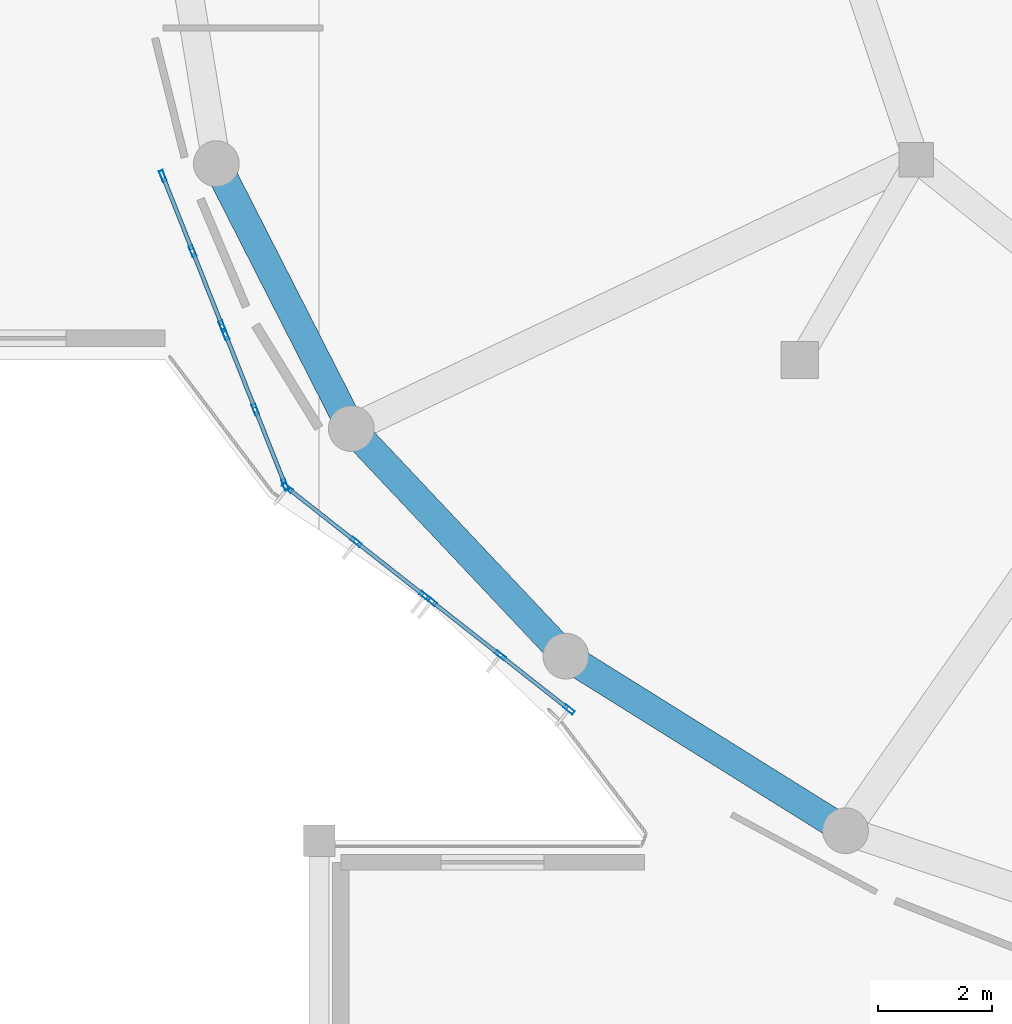
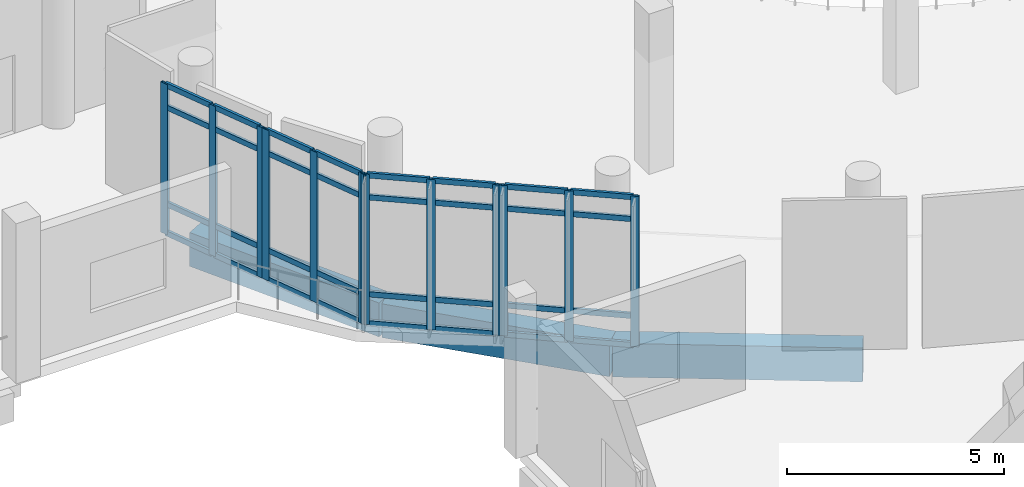
# One storey, part 4 of 46: 44 members, 3 beams, 4 elements without a shape of their own.
"""IFC4 building model written with IfcOpenShell, lengths in metres."""

from ifc_helpers import new_model, si_unit, derived_unit, direction, frame, origin, origin_2d, place, context, subcontext, project, spatial, rectangle, hollow_rectangle, extrude, material, layer, layer_set, material_profile, profile_set, type_object, element, aggregate, save


model = new_model("IFC4")

# Units and contexts
model_context = context("Model", 3, precision=1e-05, world=origin(), true_north=direction((0.0, 1.0)))
body_context = subcontext(model_context, "Body", "Model", "MODEL_VIEW")
ifc_project = project(units=[si_unit("LENGTHUNIT", "METRE"), si_unit("AREAUNIT", "SQUARE_METRE"), si_unit("VOLUMEUNIT", "CUBIC_METRE"), si_unit("PLANEANGLEUNIT", "RADIAN"), si_unit("MASSUNIT", "GRAM", prefix="KILO"), derived_unit("THERMALTRANSMITTANCEUNIT", [(si_unit("POWERUNIT", "WATT"), 1), (si_unit("LENGTHUNIT", "METRE"), -2), (si_unit("THERMODYNAMICTEMPERATUREUNIT", "KELVIN"), -1)])], contexts=[model_context])

# Site, building, storey
site_placement = place(None, origin())
site = spatial("IfcSite", under=ifc_project, at=site_placement, CompositionType="ELEMENT")
building_placement = place(site_placement, origin())
building = spatial("IfcBuilding", under=site, at=building_placement, Name="Elbkamm Science Centre", CompositionType="ELEMENT")
storey_placement = place(building_placement, frame((0.0, 0.0, 9.89990234375)))
storey = spatial("IfcBuildingStorey", under=building, at=storey_placement, Name="L02", CompositionType="ELEMENT", Elevation=9.89990234375)

# Beams
ifc_material_1 = material(Name="Concrete C40/50", Category="concrete")
ifc_material_profile_1 = material_profile(ifc_material_1, rectangle(XDim=0.5, YDim=0.949951171875, at=origin_2d()), Name="RC 500x950")
ifc_profile_set_1 = profile_set([ifc_material_profile_1], Name="Concrete C40/50")
beam_type = type_object("IfcBeamType", Name="BM-RC-500x950", PredefinedType="BEAM", material=ifc_profile_set_1)
beam_1_placement = place(storey_placement, frame((40.2041015625, 62.23095703125, -0.77490234375), z_axis=(0.45374138036, -0.891133412991, 0.0), x_axis=(0.891133412991, 0.45374138036, 0.0)))
element("IfcBeam", 1, at=beam_1_placement, inside=storey, type_object=beam_type, Name="L02 Elliptical Shell Perimeter Ring Beam 14", PredefinedType="SPANDREL", context=body_context, shape_type="SweptSolid", body=[
    extrude(rectangle(XDim=0.5, YDim=0.949951171875, at=origin_2d()), origin(), (0.0, 0.0, 1.0), 5.196533203125),
])
beam_2_placement = place(storey_placement, frame((42.56201171875, 57.60009765625, -0.77490234375), z_axis=(0.686122314522, -0.727486198848, 0.0), x_axis=(0.727486198848, 0.686122314522, 0.0)))
element("IfcBeam", 2, at=beam_2_placement, inside=storey, type_object=beam_type, Name="L02 Elliptical Shell Perimeter Ring Beam 15", PredefinedType="SPANDREL", context=body_context, shape_type="SweptSolid", body=[
    extrude(rectangle(XDim=0.5, YDim=0.949951171875, at=origin_2d()), origin(), (0.0, 0.0, 1.0), 5.465576171875),
])
beam_3_placement = place(storey_placement, frame((46.31201171875, 53.6240234375, -0.77490234375), z_axis=(0.848229099729, -0.529629487824, 0.0), x_axis=(0.529629487824, 0.848229099729, 0.0)))
element("IfcBeam", 3, at=beam_3_placement, inside=storey, type_object=beam_type, Name="L02 Elliptical Shell Perimeter Ring Beam 16", PredefinedType="SPANDREL", context=body_context, shape_type="SweptSolid", body=[
    extrude(rectangle(XDim=0.5, YDim=0.949951171875, at=origin_2d()), origin(), (0.0, 0.0, 1.0), 5.762451171875),
])

# Curtain wall, members
ifc_material_2 = material(Name="Powder-coated aluminium and triple low-E glazing", Category="aluminium")
ifc_layer_1 = layer(ifc_material_2, 0.159912109375)
ifc_layer_set_1 = layer_set([ifc_layer_1], Name="Powder-coated aluminium and triple low-E glazing")
curtain_wall_type_1 = type_object("IfcCurtainWallType", Name="CW-UNIT-2900x4220", PredefinedType="USERDEFINED", material=ifc_layer_set_1)
curtain_wall_1_placement = place(storey_placement, origin())
curtain_wall_1 = element("IfcCurtainWall", 4, at=curtain_wall_1_placement, inside=storey, type_object=curtain_wall_type_1, Name="L02 Unitised Curtain Wall 036", ObjectType="UNITISED CURTAIN WALL", PredefinedType="USERDEFINED")
ifc_material_3 = material(Name="Powder-coated aluminium EN AW-6060", Category="aluminium")
ifc_material_profile_2 = material_profile(ifc_material_3, hollow_rectangle(XDim=0.070068359375, YDim=0.199951171875, WallThickness=0.00439453125, at=origin_2d()), Name="ALU M70x200")
ifc_profile_set_2 = profile_set([ifc_material_profile_2], Name="Powder-coated aluminium EN AW-6060")
member_type_1 = type_object("IfcMemberType", Name="CW-MUL-70x200", PredefinedType="MULLION", material=ifc_profile_set_2)
member_1_placement = place(storey_placement, frame((39.267822265625, 62.014892578125, 0.0), z_axis=(0.0, 0.0, 1.0), x_axis=(0.9297492741, 0.368193274395, 0.0)))
member_1 = element("IfcMember", 5, at=member_1_placement, type_object=member_type_1, Name="CW-016 mullion 1", PredefinedType="MULLION", context=body_context, shape_type="SweptSolid", body=[
    extrude(hollow_rectangle(XDim=0.070068359375, YDim=0.199951171875, WallThickness=0.00439453125, at=origin_2d()), origin(), (0.0, 0.0, 1.0), 4.22021484375),
])
member_2_placement = place(storey_placement, frame((39.788330078125, 60.700439453125, 0.0), z_axis=(0.0, 0.0, 1.0), x_axis=(0.9297492741, 0.368193274395, 0.0)))
member_2 = element("IfcMember", 6, at=member_2_placement, type_object=member_type_1, Name="CW-016 mullion 2", PredefinedType="MULLION", context=body_context, shape_type="SweptSolid", body=[
    extrude(hollow_rectangle(XDim=0.070068359375, YDim=0.199951171875, WallThickness=0.00439453125, at=origin_2d()), origin(), (0.0, 0.0, 1.0), 4.22021484375),
])
member_3_placement = place(storey_placement, frame((40.308837890625, 59.385986328125, 0.0), z_axis=(0.0, 0.0, 1.0), x_axis=(0.9297492741, 0.368193274395, 0.0)))
member_3 = element("IfcMember", 7, at=member_3_placement, type_object=member_type_1, Name="CW-016 mullion 3", PredefinedType="MULLION", context=body_context, shape_type="SweptSolid", body=[
    extrude(hollow_rectangle(XDim=0.070068359375, YDim=0.199951171875, WallThickness=0.00439453125, at=origin_2d()), origin(), (0.0, 0.0, 1.0), 4.22021484375),
])

curtain_wall_2_placement = place(storey_placement, origin())
curtain_wall_2 = element("IfcCurtainWall", 8, at=curtain_wall_2_placement, inside=storey, type_object=curtain_wall_type_1, Name="L02 Unitised Curtain Wall 037", ObjectType="UNITISED CURTAIN WALL", PredefinedType="USERDEFINED")
member_4_placement = place(storey_placement, frame((40.364013671875, 59.24658203125, 0.0), z_axis=(0.0, 0.0, 1.0), x_axis=(0.9297492741, 0.368193274395, 0.0)))
member_4 = element("IfcMember", 9, at=member_4_placement, type_object=member_type_1, Name="CW-016 mullion 1", PredefinedType="MULLION", context=body_context, shape_type="SweptSolid", body=[
    extrude(hollow_rectangle(XDim=0.070068359375, YDim=0.199951171875, WallThickness=0.00439453125, at=origin_2d()), origin(), (0.0, 0.0, 1.0), 4.22021484375),
])
member_5_placement = place(storey_placement, frame((40.884765625, 57.93212890625, 0.0), z_axis=(0.0, 0.0, 1.0), x_axis=(0.9297492741, 0.368193274395, 0.0)))
member_5 = element("IfcMember", 10, at=member_5_placement, type_object=member_type_1, Name="CW-016 mullion 2", PredefinedType="MULLION", context=body_context, shape_type="SweptSolid", body=[
    extrude(hollow_rectangle(XDim=0.070068359375, YDim=0.199951171875, WallThickness=0.00439453125, at=origin_2d()), origin(), (0.0, 0.0, 1.0), 4.22021484375),
])
member_6_placement = place(storey_placement, frame((41.4052734375, 56.617431640625, 0.0), z_axis=(0.0, 0.0, 1.0), x_axis=(0.9297492741, 0.368193274395, 0.0)))
member_6 = element("IfcMember", 11, at=member_6_placement, type_object=member_type_1, Name="CW-016 mullion 3", PredefinedType="MULLION", context=body_context, shape_type="SweptSolid", body=[
    extrude(hollow_rectangle(XDim=0.070068359375, YDim=0.199951171875, WallThickness=0.00439453125, at=origin_2d()), origin(), (0.0, 0.0, 1.0), 4.22021484375),
])

ifc_layer_2 = layer(ifc_material_2, 0.159912109375)
ifc_layer_set_2 = layer_set([ifc_layer_2], Name="Powder-coated aluminium and triple low-E glazing")
curtain_wall_type_2 = type_object("IfcCurtainWallType", Name="CW-UNIT-3120x4220", PredefinedType="USERDEFINED", material=ifc_layer_set_2)
curtain_wall_3_placement = place(storey_placement, origin())
curtain_wall_3 = element("IfcCurtainWall", 12, at=curtain_wall_3_placement, inside=storey, type_object=curtain_wall_type_2, Name="L02 Unitised Curtain Wall 038", ObjectType="UNITISED CURTAIN WALL", PredefinedType="USERDEFINED")
member_7_placement = place(storey_placement, frame((41.445556640625, 56.5634765625, 0.0), z_axis=(0.0, 0.0, 1.0), x_axis=(0.618219954707, 0.786005144768, 0.0)))
member_7 = element("IfcMember", 13, at=member_7_placement, type_object=member_type_1, Name="CW-017 mullion 1", PredefinedType="MULLION", context=body_context, shape_type="SweptSolid", body=[
    extrude(hollow_rectangle(XDim=0.070068359375, YDim=0.199951171875, WallThickness=0.00439453125, at=origin_2d()), origin(), (0.0, 0.0, 1.0), 4.22021484375),
])
member_8_placement = place(storey_placement, frame((42.646484375, 55.618896484375, 0.0), z_axis=(0.0, 0.0, 1.0), x_axis=(0.618219954707, 0.786005144768, 0.0)))
member_8 = element("IfcMember", 14, at=member_8_placement, type_object=member_type_1, Name="CW-017 mullion 2", PredefinedType="MULLION", context=body_context, shape_type="SweptSolid", body=[
    extrude(hollow_rectangle(XDim=0.070068359375, YDim=0.199951171875, WallThickness=0.00439453125, at=origin_2d()), origin(), (0.0, 0.0, 1.0), 4.22021484375),
])
member_9_placement = place(storey_placement, frame((43.84716796875, 54.67431640625, 0.0), z_axis=(0.0, 0.0, 1.0), x_axis=(0.618219954707, 0.786005144768, 0.0)))
member_9 = element("IfcMember", 15, at=member_9_placement, type_object=member_type_1, Name="CW-017 mullion 3", PredefinedType="MULLION", context=body_context, shape_type="SweptSolid", body=[
    extrude(hollow_rectangle(XDim=0.070068359375, YDim=0.199951171875, WallThickness=0.00439453125, at=origin_2d()), origin(), (0.0, 0.0, 1.0), 4.22021484375),
])

curtain_wall_4_placement = place(storey_placement, origin())
curtain_wall_4 = element("IfcCurtainWall", 16, at=curtain_wall_4_placement, inside=storey, type_object=curtain_wall_type_2, Name="L02 Unitised Curtain Wall 039", ObjectType="UNITISED CURTAIN WALL", PredefinedType="USERDEFINED")
member_10_placement = place(storey_placement, frame((43.965087890625, 54.58154296875, 0.0), z_axis=(0.0, 0.0, 1.0), x_axis=(0.618219954707, 0.786005144768, 0.0)))
member_10 = element("IfcMember", 17, at=member_10_placement, type_object=member_type_1, Name="CW-017 mullion 1", PredefinedType="MULLION", context=body_context, shape_type="SweptSolid", body=[
    extrude(hollow_rectangle(XDim=0.070068359375, YDim=0.199951171875, WallThickness=0.00439453125, at=origin_2d()), origin(), (0.0, 0.0, 1.0), 4.22021484375),
])
member_11_placement = place(storey_placement, frame((45.166015625, 53.63720703125, 0.0), z_axis=(0.0, 0.0, 1.0), x_axis=(0.618219954707, 0.786005144768, 0.0)))
member_11 = element("IfcMember", 18, at=member_11_placement, type_object=member_type_1, Name="CW-017 mullion 2", PredefinedType="MULLION", context=body_context, shape_type="SweptSolid", body=[
    extrude(hollow_rectangle(XDim=0.070068359375, YDim=0.199951171875, WallThickness=0.00439453125, at=origin_2d()), origin(), (0.0, 0.0, 1.0), 4.22021484375),
])
member_12_placement = place(storey_placement, frame((46.36669921875, 52.692626953125, 0.0), z_axis=(0.0, 0.0, 1.0), x_axis=(0.618219954707, 0.786005144768, 0.0)))
member_12 = element("IfcMember", 19, at=member_12_placement, type_object=member_type_1, Name="CW-017 mullion 3", PredefinedType="MULLION", context=body_context, shape_type="SweptSolid", body=[
    extrude(hollow_rectangle(XDim=0.070068359375, YDim=0.199951171875, WallThickness=0.00439453125, at=origin_2d()), origin(), (0.0, 0.0, 1.0), 4.22021484375),
])

# Member
ifc_material_profile_3 = material_profile(ifc_material_3, hollow_rectangle(XDim=0.070068359375, YDim=0.14990234375, WallThickness=0.00390625, at=origin_2d()), Name="ALU T70x150")
ifc_profile_set_3 = profile_set([ifc_material_profile_3], Name="Powder-coated aluminium EN AW-6060")
member_type_2 = type_object("IfcMemberType", Name="CW-TRN-70x150", PredefinedType="USERDEFINED", material=ifc_profile_set_3)
member_13_placement = place(storey_placement, frame((39.28076171875, 61.982421875, 0.03515625), z_axis=(0.368068083804, -0.929798841516, 0.0), x_axis=(0.929798841516, 0.368068083804, 0.0)))
member_13 = element("IfcMember", 20, at=member_13_placement, type_object=member_type_2, Name="CW-016 transom 1.1", ObjectType="TRANSOM", PredefinedType="USERDEFINED", context=body_context, shape_type="SweptSolid", body=[
    extrude(hollow_rectangle(XDim=0.070068359375, YDim=0.14990234375, WallThickness=0.00390625, at=origin_2d()), origin(), (0.0, 0.0, 1.0), 1.34375),
])

member_14_placement = place(storey_placement, frame((39.28076171875, 61.982421875, 0.85009765625), z_axis=(0.368068083804, -0.929798841516, 0.0), x_axis=(0.929798841516, 0.368068083804, 0.0)))
member_14 = element("IfcMember", 21, at=member_14_placement, type_object=member_type_2, Name="CW-016 transom 1.2", ObjectType="TRANSOM", PredefinedType="USERDEFINED", context=body_context, shape_type="SweptSolid", body=[
    extrude(hollow_rectangle(XDim=0.070068359375, YDim=0.14990234375, WallThickness=0.00390625, at=origin_2d()), origin(), (0.0, 0.0, 1.0), 1.34375),
])

member_15_placement = place(storey_placement, frame((39.28076171875, 61.982421875, 3.570068359375), z_axis=(0.368068083804, -0.929798841516, 0.0), x_axis=(0.929798841516, 0.368068083804, 0.0)))
member_15 = element("IfcMember", 22, at=member_15_placement, type_object=member_type_2, Name="CW-016 transom 1.3", ObjectType="TRANSOM", PredefinedType="USERDEFINED", context=body_context, shape_type="SweptSolid", body=[
    extrude(hollow_rectangle(XDim=0.070068359375, YDim=0.14990234375, WallThickness=0.00390625, at=origin_2d()), origin(), (0.0, 0.0, 1.0), 1.34375),
])

member_16_placement = place(storey_placement, frame((39.28076171875, 61.982421875, 4.18505859375), z_axis=(0.368068083804, -0.929798841516, 0.0), x_axis=(0.929798841516, 0.368068083804, 0.0)))
member_16 = element("IfcMember", 23, at=member_16_placement, type_object=member_type_2, Name="CW-016 transom 1.4", ObjectType="TRANSOM", PredefinedType="USERDEFINED", context=body_context, shape_type="SweptSolid", body=[
    extrude(hollow_rectangle(XDim=0.070068359375, YDim=0.14990234375, WallThickness=0.00390625, at=origin_2d()), origin(), (0.0, 0.0, 1.0), 1.34375),
])

member_17_placement = place(storey_placement, frame((39.80126953125, 60.66796875, 0.03515625), z_axis=(0.368225128458, -0.92973665883, 0.0), x_axis=(0.92973665883, 0.368225128458, 0.0)))
member_17 = element("IfcMember", 24, at=member_17_placement, type_object=member_type_2, Name="CW-016 transom 2.1", ObjectType="TRANSOM", PredefinedType="USERDEFINED", context=body_context, shape_type="SweptSolid", body=[
    extrude(hollow_rectangle(XDim=0.070068359375, YDim=0.14990234375, WallThickness=0.00390625, at=origin_2d()), origin(), (0.0, 0.0, 1.0), 1.343994140625),
])

member_18_placement = place(storey_placement, frame((39.80126953125, 60.66796875, 0.85009765625), z_axis=(0.368225128458, -0.92973665883, 0.0), x_axis=(0.92973665883, 0.368225128458, 0.0)))
member_18 = element("IfcMember", 25, at=member_18_placement, type_object=member_type_2, Name="CW-016 transom 2.2", ObjectType="TRANSOM", PredefinedType="USERDEFINED", context=body_context, shape_type="SweptSolid", body=[
    extrude(hollow_rectangle(XDim=0.070068359375, YDim=0.14990234375, WallThickness=0.00390625, at=origin_2d()), origin(), (0.0, 0.0, 1.0), 1.343994140625),
])

member_19_placement = place(storey_placement, frame((39.80126953125, 60.66796875, 3.570068359375), z_axis=(0.368225128458, -0.92973665883, 0.0), x_axis=(0.92973665883, 0.368225128458, 0.0)))
member_19 = element("IfcMember", 26, at=member_19_placement, type_object=member_type_2, Name="CW-016 transom 2.3", ObjectType="TRANSOM", PredefinedType="USERDEFINED", context=body_context, shape_type="SweptSolid", body=[
    extrude(hollow_rectangle(XDim=0.070068359375, YDim=0.14990234375, WallThickness=0.00390625, at=origin_2d()), origin(), (0.0, 0.0, 1.0), 1.343994140625),
])

member_20_placement = place(storey_placement, frame((39.80126953125, 60.66796875, 4.18505859375), z_axis=(0.368225128458, -0.92973665883, 0.0), x_axis=(0.92973665883, 0.368225128458, 0.0)))
member_20 = element("IfcMember", 27, at=member_20_placement, type_object=member_type_2, Name="CW-016 transom 2.4", ObjectType="TRANSOM", PredefinedType="USERDEFINED", context=body_context, shape_type="SweptSolid", body=[
    extrude(hollow_rectangle(XDim=0.070068359375, YDim=0.14990234375, WallThickness=0.00390625, at=origin_2d()), origin(), (0.0, 0.0, 1.0), 1.343994140625),
])

aggregate(curtain_wall_1, [member_1, member_2, member_3, member_13, member_14, member_15, member_16, member_17, member_18, member_19, member_20])

member_21_placement = place(storey_placement, frame((40.376953125, 59.214111328125, 0.03515625), z_axis=(0.368225128458, -0.92973665883, 0.0), x_axis=(0.92973665883, 0.368225128458, 0.0)))
member_21 = element("IfcMember", 28, at=member_21_placement, type_object=member_type_2, Name="CW-016 transom 1.1", ObjectType="TRANSOM", PredefinedType="USERDEFINED", context=body_context, shape_type="SweptSolid", body=[
    extrude(hollow_rectangle(XDim=0.070068359375, YDim=0.14990234375, WallThickness=0.00390625, at=origin_2d()), origin(), (0.0, 0.0, 1.0), 1.343994140625),
])

member_22_placement = place(storey_placement, frame((40.376953125, 59.214111328125, 0.85009765625), z_axis=(0.368225128458, -0.92973665883, 0.0), x_axis=(0.92973665883, 0.368225128458, 0.0)))
member_22 = element("IfcMember", 29, at=member_22_placement, type_object=member_type_2, Name="CW-016 transom 1.2", ObjectType="TRANSOM", PredefinedType="USERDEFINED", context=body_context, shape_type="SweptSolid", body=[
    extrude(hollow_rectangle(XDim=0.070068359375, YDim=0.14990234375, WallThickness=0.00390625, at=origin_2d()), origin(), (0.0, 0.0, 1.0), 1.343994140625),
])

member_23_placement = place(storey_placement, frame((40.376953125, 59.214111328125, 3.570068359375), z_axis=(0.368225128458, -0.92973665883, 0.0), x_axis=(0.92973665883, 0.368225128458, 0.0)))
member_23 = element("IfcMember", 30, at=member_23_placement, type_object=member_type_2, Name="CW-016 transom 1.3", ObjectType="TRANSOM", PredefinedType="USERDEFINED", context=body_context, shape_type="SweptSolid", body=[
    extrude(hollow_rectangle(XDim=0.070068359375, YDim=0.14990234375, WallThickness=0.00390625, at=origin_2d()), origin(), (0.0, 0.0, 1.0), 1.343994140625),
])

member_24_placement = place(storey_placement, frame((40.376953125, 59.214111328125, 4.18505859375), z_axis=(0.368225128458, -0.92973665883, 0.0), x_axis=(0.92973665883, 0.368225128458, 0.0)))
member_24 = element("IfcMember", 31, at=member_24_placement, type_object=member_type_2, Name="CW-016 transom 1.4", ObjectType="TRANSOM", PredefinedType="USERDEFINED", context=body_context, shape_type="SweptSolid", body=[
    extrude(hollow_rectangle(XDim=0.070068359375, YDim=0.14990234375, WallThickness=0.00390625, at=origin_2d()), origin(), (0.0, 0.0, 1.0), 1.343994140625),
])

member_25_placement = place(storey_placement, frame((40.8974609375, 57.8994140625, 0.03515625), z_axis=(0.368287329929, -0.929712021335, 0.0), x_axis=(0.929712021335, 0.368287329929, 0.0)))
member_25 = element("IfcMember", 32, at=member_25_placement, type_object=member_type_2, Name="CW-016 transom 2.1", ObjectType="TRANSOM", PredefinedType="USERDEFINED", context=body_context, shape_type="SweptSolid", body=[
    extrude(hollow_rectangle(XDim=0.070068359375, YDim=0.14990234375, WallThickness=0.00390625, at=origin_2d()), origin(), (0.0, 0.0, 1.0), 1.34375),
])

member_26_placement = place(storey_placement, frame((40.8974609375, 57.8994140625, 0.85009765625), z_axis=(0.368287329929, -0.929712021335, 0.0), x_axis=(0.929712021335, 0.368287329929, 0.0)))
member_26 = element("IfcMember", 33, at=member_26_placement, type_object=member_type_2, Name="CW-016 transom 2.2", ObjectType="TRANSOM", PredefinedType="USERDEFINED", context=body_context, shape_type="SweptSolid", body=[
    extrude(hollow_rectangle(XDim=0.070068359375, YDim=0.14990234375, WallThickness=0.00390625, at=origin_2d()), origin(), (0.0, 0.0, 1.0), 1.34375),
])

member_27_placement = place(storey_placement, frame((40.8974609375, 57.8994140625, 3.570068359375), z_axis=(0.368287329929, -0.929712021335, 0.0), x_axis=(0.929712021335, 0.368287329929, 0.0)))
member_27 = element("IfcMember", 34, at=member_27_placement, type_object=member_type_2, Name="CW-016 transom 2.3", ObjectType="TRANSOM", PredefinedType="USERDEFINED", context=body_context, shape_type="SweptSolid", body=[
    extrude(hollow_rectangle(XDim=0.070068359375, YDim=0.14990234375, WallThickness=0.00390625, at=origin_2d()), origin(), (0.0, 0.0, 1.0), 1.34375),
])

member_28_placement = place(storey_placement, frame((40.8974609375, 57.8994140625, 4.18505859375), z_axis=(0.368287329929, -0.929712021335, 0.0), x_axis=(0.929712021335, 0.368287329929, 0.0)))
member_28 = element("IfcMember", 35, at=member_28_placement, type_object=member_type_2, Name="CW-016 transom 2.4", ObjectType="TRANSOM", PredefinedType="USERDEFINED", context=body_context, shape_type="SweptSolid", body=[
    extrude(hollow_rectangle(XDim=0.070068359375, YDim=0.14990234375, WallThickness=0.00390625, at=origin_2d()), origin(), (0.0, 0.0, 1.0), 1.34375),
])

aggregate(curtain_wall_2, [member_4, member_5, member_6, member_21, member_22, member_23, member_24, member_25, member_26, member_27, member_28])

member_29_placement = place(storey_placement, frame((41.47314453125, 56.541748046875, 0.03515625), z_axis=(0.786021841873, -0.618198725411, 0.0), x_axis=(0.618198725411, 0.786021841873, 0.0)))
member_29 = element("IfcMember", 36, at=member_29_placement, type_object=member_type_2, Name="CW-017 transom 1.1", ObjectType="TRANSOM", PredefinedType="USERDEFINED", context=body_context, shape_type="SweptSolid", body=[
    extrude(hollow_rectangle(XDim=0.070068359375, YDim=0.14990234375, WallThickness=0.00390625, at=origin_2d()), origin(), (0.0, 0.0, 1.0), 1.457763671875),
])

member_30_placement = place(storey_placement, frame((41.47314453125, 56.541748046875, 0.85009765625), z_axis=(0.786021841873, -0.618198725411, 0.0), x_axis=(0.618198725411, 0.786021841873, 0.0)))
member_30 = element("IfcMember", 37, at=member_30_placement, type_object=member_type_2, Name="CW-017 transom 1.2", ObjectType="TRANSOM", PredefinedType="USERDEFINED", context=body_context, shape_type="SweptSolid", body=[
    extrude(hollow_rectangle(XDim=0.070068359375, YDim=0.14990234375, WallThickness=0.00390625, at=origin_2d()), origin(), (0.0, 0.0, 1.0), 1.457763671875),
])

member_31_placement = place(storey_placement, frame((41.47314453125, 56.541748046875, 3.570068359375), z_axis=(0.786021841873, -0.618198725411, 0.0), x_axis=(0.618198725411, 0.786021841873, 0.0)))
member_31 = element("IfcMember", 38, at=member_31_placement, type_object=member_type_2, Name="CW-017 transom 1.3", ObjectType="TRANSOM", PredefinedType="USERDEFINED", context=body_context, shape_type="SweptSolid", body=[
    extrude(hollow_rectangle(XDim=0.070068359375, YDim=0.14990234375, WallThickness=0.00390625, at=origin_2d()), origin(), (0.0, 0.0, 1.0), 1.457763671875),
])

member_32_placement = place(storey_placement, frame((41.47314453125, 56.541748046875, 4.18505859375), z_axis=(0.786021841873, -0.618198725411, 0.0), x_axis=(0.618198725411, 0.786021841873, 0.0)))
member_32 = element("IfcMember", 39, at=member_32_placement, type_object=member_type_2, Name="CW-017 transom 1.4", ObjectType="TRANSOM", PredefinedType="USERDEFINED", context=body_context, shape_type="SweptSolid", body=[
    extrude(hollow_rectangle(XDim=0.070068359375, YDim=0.14990234375, WallThickness=0.00390625, at=origin_2d()), origin(), (0.0, 0.0, 1.0), 1.457763671875),
])

member_33_placement = place(storey_placement, frame((42.673828125, 55.59716796875, 0.03515625), z_axis=(0.786021841873, -0.618198725411, 0.0), x_axis=(0.618198725411, 0.786021841873, 0.0)))
member_33 = element("IfcMember", 40, at=member_33_placement, type_object=member_type_2, Name="CW-017 transom 2.1", ObjectType="TRANSOM", PredefinedType="USERDEFINED", context=body_context, shape_type="SweptSolid", body=[
    extrude(hollow_rectangle(XDim=0.070068359375, YDim=0.14990234375, WallThickness=0.00390625, at=origin_2d()), origin(), (0.0, 0.0, 1.0), 1.457763671875),
])

member_34_placement = place(storey_placement, frame((42.673828125, 55.59716796875, 0.85009765625), z_axis=(0.786021841873, -0.618198725411, 0.0), x_axis=(0.618198725411, 0.786021841873, 0.0)))
member_34 = element("IfcMember", 41, at=member_34_placement, type_object=member_type_2, Name="CW-017 transom 2.2", ObjectType="TRANSOM", PredefinedType="USERDEFINED", context=body_context, shape_type="SweptSolid", body=[
    extrude(hollow_rectangle(XDim=0.070068359375, YDim=0.14990234375, WallThickness=0.00390625, at=origin_2d()), origin(), (0.0, 0.0, 1.0), 1.457763671875),
])

member_35_placement = place(storey_placement, frame((42.673828125, 55.59716796875, 3.570068359375), z_axis=(0.786021841873, -0.618198725411, 0.0), x_axis=(0.618198725411, 0.786021841873, 0.0)))
member_35 = element("IfcMember", 42, at=member_35_placement, type_object=member_type_2, Name="CW-017 transom 2.3", ObjectType="TRANSOM", PredefinedType="USERDEFINED", context=body_context, shape_type="SweptSolid", body=[
    extrude(hollow_rectangle(XDim=0.070068359375, YDim=0.14990234375, WallThickness=0.00390625, at=origin_2d()), origin(), (0.0, 0.0, 1.0), 1.457763671875),
])

member_36_placement = place(storey_placement, frame((42.673828125, 55.59716796875, 4.18505859375), z_axis=(0.786021841873, -0.618198725411, 0.0), x_axis=(0.618198725411, 0.786021841873, 0.0)))
member_36 = element("IfcMember", 43, at=member_36_placement, type_object=member_type_2, Name="CW-017 transom 2.4", ObjectType="TRANSOM", PredefinedType="USERDEFINED", context=body_context, shape_type="SweptSolid", body=[
    extrude(hollow_rectangle(XDim=0.070068359375, YDim=0.14990234375, WallThickness=0.00390625, at=origin_2d()), origin(), (0.0, 0.0, 1.0), 1.457763671875),
])

aggregate(curtain_wall_3, [member_7, member_8, member_9, member_29, member_30, member_31, member_32, member_33, member_34, member_35, member_36])

member_37_placement = place(storey_placement, frame((43.99267578125, 54.56005859375, 0.03515625), z_axis=(0.786021841873, -0.618198725411, 0.0), x_axis=(0.618198725411, 0.786021841873, 0.0)))
member_37 = element("IfcMember", 44, at=member_37_placement, type_object=member_type_2, Name="CW-017 transom 1.1", ObjectType="TRANSOM", PredefinedType="USERDEFINED", context=body_context, shape_type="SweptSolid", body=[
    extrude(hollow_rectangle(XDim=0.070068359375, YDim=0.14990234375, WallThickness=0.00390625, at=origin_2d()), origin(), (0.0, 0.0, 1.0), 1.457763671875),
])

member_38_placement = place(storey_placement, frame((43.99267578125, 54.56005859375, 0.85009765625), z_axis=(0.786021841873, -0.618198725411, 0.0), x_axis=(0.618198725411, 0.786021841873, 0.0)))
member_38 = element("IfcMember", 45, at=member_38_placement, type_object=member_type_2, Name="CW-017 transom 1.2", ObjectType="TRANSOM", PredefinedType="USERDEFINED", context=body_context, shape_type="SweptSolid", body=[
    extrude(hollow_rectangle(XDim=0.070068359375, YDim=0.14990234375, WallThickness=0.00390625, at=origin_2d()), origin(), (0.0, 0.0, 1.0), 1.457763671875),
])

member_39_placement = place(storey_placement, frame((43.99267578125, 54.56005859375, 3.570068359375), z_axis=(0.786021841873, -0.618198725411, 0.0), x_axis=(0.618198725411, 0.786021841873, 0.0)))
member_39 = element("IfcMember", 46, at=member_39_placement, type_object=member_type_2, Name="CW-017 transom 1.3", ObjectType="TRANSOM", PredefinedType="USERDEFINED", context=body_context, shape_type="SweptSolid", body=[
    extrude(hollow_rectangle(XDim=0.070068359375, YDim=0.14990234375, WallThickness=0.00390625, at=origin_2d()), origin(), (0.0, 0.0, 1.0), 1.457763671875),
])

member_40_placement = place(storey_placement, frame((43.99267578125, 54.56005859375, 4.18505859375), z_axis=(0.786021841873, -0.618198725411, 0.0), x_axis=(0.618198725411, 0.786021841873, 0.0)))
member_40 = element("IfcMember", 47, at=member_40_placement, type_object=member_type_2, Name="CW-017 transom 1.4", ObjectType="TRANSOM", PredefinedType="USERDEFINED", context=body_context, shape_type="SweptSolid", body=[
    extrude(hollow_rectangle(XDim=0.070068359375, YDim=0.14990234375, WallThickness=0.00390625, at=origin_2d()), origin(), (0.0, 0.0, 1.0), 1.457763671875),
])

member_41_placement = place(storey_placement, frame((45.193359375, 53.615478515625, 0.03515625), z_axis=(0.786021841873, -0.618198725411, 0.0), x_axis=(0.618198725411, 0.786021841873, 0.0)))
member_41 = element("IfcMember", 48, at=member_41_placement, type_object=member_type_2, Name="CW-017 transom 2.1", ObjectType="TRANSOM", PredefinedType="USERDEFINED", context=body_context, shape_type="SweptSolid", body=[
    extrude(hollow_rectangle(XDim=0.070068359375, YDim=0.14990234375, WallThickness=0.00390625, at=origin_2d()), origin(), (0.0, 0.0, 1.0), 1.457763671875),
])

member_42_placement = place(storey_placement, frame((45.193359375, 53.615478515625, 0.85009765625), z_axis=(0.786021841873, -0.618198725411, 0.0), x_axis=(0.618198725411, 0.786021841873, 0.0)))
member_42 = element("IfcMember", 49, at=member_42_placement, type_object=member_type_2, Name="CW-017 transom 2.2", ObjectType="TRANSOM", PredefinedType="USERDEFINED", context=body_context, shape_type="SweptSolid", body=[
    extrude(hollow_rectangle(XDim=0.070068359375, YDim=0.14990234375, WallThickness=0.00390625, at=origin_2d()), origin(), (0.0, 0.0, 1.0), 1.457763671875),
])

member_43_placement = place(storey_placement, frame((45.193359375, 53.615478515625, 3.570068359375), z_axis=(0.786021841873, -0.618198725411, 0.0), x_axis=(0.618198725411, 0.786021841873, 0.0)))
member_43 = element("IfcMember", 50, at=member_43_placement, type_object=member_type_2, Name="CW-017 transom 2.3", ObjectType="TRANSOM", PredefinedType="USERDEFINED", context=body_context, shape_type="SweptSolid", body=[
    extrude(hollow_rectangle(XDim=0.070068359375, YDim=0.14990234375, WallThickness=0.00390625, at=origin_2d()), origin(), (0.0, 0.0, 1.0), 1.457763671875),
])

member_44_placement = place(storey_placement, frame((45.193359375, 53.615478515625, 4.18505859375), z_axis=(0.786021841873, -0.618198725411, 0.0), x_axis=(0.618198725411, 0.786021841873, 0.0)))
member_44 = element("IfcMember", 51, at=member_44_placement, type_object=member_type_2, Name="CW-017 transom 2.4", ObjectType="TRANSOM", PredefinedType="USERDEFINED", context=body_context, shape_type="SweptSolid", body=[
    extrude(hollow_rectangle(XDim=0.070068359375, YDim=0.14990234375, WallThickness=0.00390625, at=origin_2d()), origin(), (0.0, 0.0, 1.0), 1.457763671875),
])

aggregate(curtain_wall_4, [member_10, member_11, member_12, member_37, member_38, member_39, member_40, member_41, member_42, member_43, member_44])

save(model, "model.ifc")
